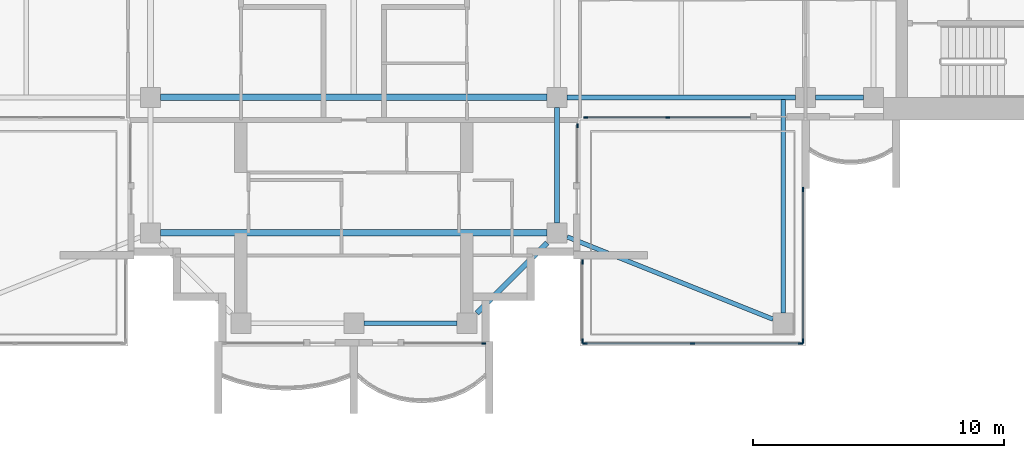
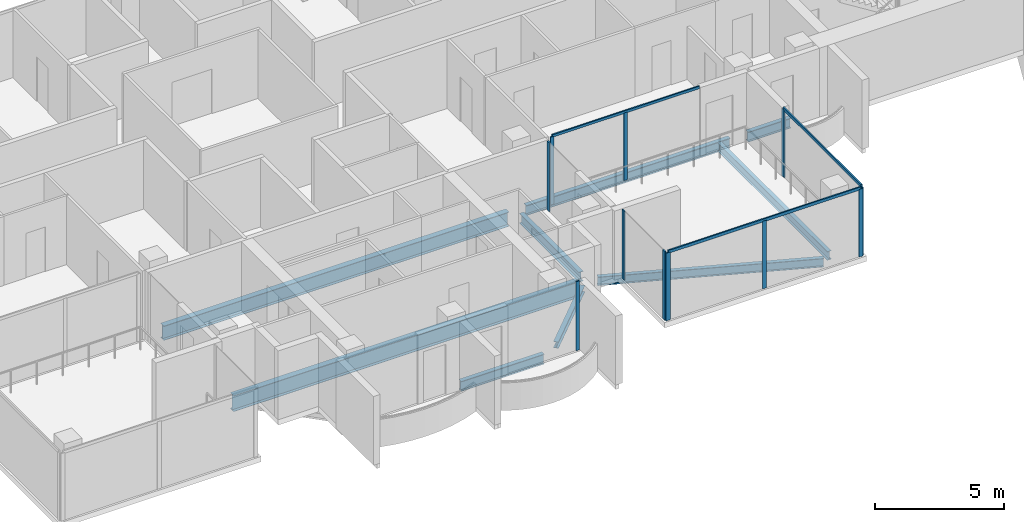
# One storey, part 3 of 16: 14 members, 9 beams, 6 elements without a shape of their own.
"""IFC4 building model written with IfcOpenShell, lengths in metres."""

from ifc_helpers import new_model, si_unit, direction, frame, origin, origin_2d, place, context, subcontext, project, spatial, rectangle, i_section, extrude, material, material_profile, profile_set, type_object, element, aggregate, save


model = new_model("IFC4")

# Units and contexts
model_context = context("Model", 3, precision=1e-05, world=origin(), true_north=direction((0.0, 1.0)))
body_context = subcontext(model_context, "Body", "Model", "MODEL_VIEW")
ifc_project = project(units=[si_unit("LENGTHUNIT", "METRE"), si_unit("AREAUNIT", "SQUARE_METRE"), si_unit("VOLUMEUNIT", "CUBIC_METRE"), si_unit("PLANEANGLEUNIT", "RADIAN"), si_unit("MASSUNIT", "GRAM", prefix="KILO")], contexts=[model_context])

# Site, building, storey
site_placement = place(None, origin())
site = spatial("IfcSite", under=ifc_project, at=site_placement, CompositionType="ELEMENT")
building_placement = place(site_placement, origin())
building = spatial("IfcBuilding", under=site, at=building_placement, Name="Perihelion Cross Residences", CompositionType="ELEMENT")
storey_placement = place(building_placement, frame((0.0, 0.0, 264.0)))
storey = spatial("IfcBuildingStorey", under=building, at=storey_placement, Name="L67", CompositionType="ELEMENT", Elevation=264.0)

# Curtain wall, member
ifc_material_1 = material(Name="Bronze anodised aluminium, tinted glazing", Category="aluminium")
curtain_wall_type_1 = type_object("IfcCurtainWallType", Name="CW1", PredefinedType="NOTDEFINED", material=ifc_material_1)
curtain_wall_1_placement = place(storey_placement, origin())
curtain_wall_1 = element("IfcCurtainWall", 1, at=curtain_wall_1_placement, inside=storey, type_object=curtain_wall_type_1, Name="Curtain wall CW1 L67 south tip south bay 2", PredefinedType="NOTDEFINED")
ifc_material_2 = material(Name="Bronze anodised aluminium", Category="aluminium")
ifc_material_profile_1 = material_profile(ifc_material_2, rectangle(XDim=0.06005859375, YDim=0.159912109375, at=origin_2d()), Name="CW1 mullion")
ifc_profile_set_1 = profile_set([ifc_material_profile_1], Name="Bronze anodised aluminium")
member_type_1 = type_object("IfcMemberType", Name="CW1 mullion", PredefinedType="MULLION", material=ifc_profile_set_1)
member_1_placement = place(storey_placement, frame((5.169921875, -17.89990234375, 0.0), z_axis=(0.0, 0.0, 1.0), x_axis=(0.0, 1.0, 0.0)))
member_1 = element("IfcMember", 2, at=member_1_placement, type_object=member_type_1, Name="CW1 mullion 2", PredefinedType="MULLION", context=body_context, shape_type="SweptSolid", body=[
    extrude(rectangle(XDim=0.06005859375, YDim=0.159912109375, at=origin_2d()), origin(), (0.0, 0.0, 1.0), 3.25),
])
aggregate(curtain_wall_1, [member_1])

curtain_wall_2_placement = place(storey_placement, origin())
curtain_wall_2 = element("IfcCurtainWall", 3, at=curtain_wall_2_placement, inside=storey, type_object=curtain_wall_type_1, Name="Curtain wall CW1 L67 south side east bay 1", PredefinedType="NOTDEFINED")
member_2_placement = place(storey_placement, frame((8.89990234375, -9.22998046875, 0.0), z_axis=(0.0, 0.0, 1.0), x_axis=(-1.0, 0.0, 0.0)))
member_2 = element("IfcMember", 4, at=member_2_placement, type_object=member_type_1, Name="CW1 mullion 2", PredefinedType="MULLION", context=body_context, shape_type="SweptSolid", body=[
    extrude(rectangle(XDim=0.06005859375, YDim=0.159912109375, at=origin_2d()), origin(), (0.0, 0.0, 1.0), 3.25),
])
aggregate(curtain_wall_2, [member_2])

# Curtain wall, members
curtain_wall_3_placement = place(storey_placement, origin())
curtain_wall_3 = element("IfcCurtainWall", 5, at=curtain_wall_3_placement, inside=storey, type_object=curtain_wall_type_1, Name="Curtain wall CW1 L67 east side south bay 1", PredefinedType="NOTDEFINED")
member_3_placement = place(storey_placement, frame((9.22998046875, -8.89990234375, 0.0), z_axis=(0.0, 0.0, 1.0), x_axis=(0.0, 1.0, 0.0)))
member_3 = element("IfcMember", 6, at=member_3_placement, type_object=member_type_1, Name="CW1 mullion 1", PredefinedType="MULLION", context=body_context, shape_type="SweptSolid", body=[
    extrude(rectangle(XDim=0.06005859375, YDim=0.159912109375, at=origin_2d()), origin(), (0.0, 0.0, 1.0), 3.18994140625),
])
member_4_placement = place(storey_placement, frame((12.5, -8.89990234375, 0.0), z_axis=(0.0, 0.0, 1.0), x_axis=(0.0, 1.0, 0.0)))
member_4 = element("IfcMember", 7, at=member_4_placement, type_object=member_type_1, Name="CW1 mullion 2", PredefinedType="MULLION", context=body_context, shape_type="SweptSolid", body=[
    extrude(rectangle(XDim=0.06005859375, YDim=0.159912109375, at=origin_2d()), origin(), (0.0, 0.0, 1.0), 3.18994140625),
])
ifc_material_3 = material(Name="Bronze anodised aluminium", Category="aluminium")
ifc_material_profile_2 = material_profile(ifc_material_3, rectangle(XDim=0.06005859375, YDim=0.1201171875, at=origin_2d()), Name="CW1 transom")
ifc_profile_set_2 = profile_set([ifc_material_profile_2], Name="Bronze anodised aluminium")
member_type_2 = type_object("IfcMemberType", Name="CW1 transom", PredefinedType="USERDEFINED", material=ifc_profile_set_2)
member_5_placement = place(storey_placement, frame((9.22998046875, -8.89990234375, 3.219970703125), z_axis=(1.0, 0.0, 0.0), x_axis=(0.0, 1.0, 0.0)))
member_5 = element("IfcMember", 8, at=member_5_placement, type_object=member_type_2, Name="CW1 head transom", ObjectType="TRANSOM", PredefinedType="USERDEFINED", context=body_context, shape_type="SweptSolid", body=[
    extrude(rectangle(XDim=0.06005859375, YDim=0.1201171875, at=origin_2d()), origin(), (0.0, 0.0, 1.0), 6.570068359375),
])
aggregate(curtain_wall_3, [member_3, member_4, member_5])

ifc_material_4 = material(Name="Bronze anodised aluminium, tinted glazing", Category="aluminium")
curtain_wall_type_2 = type_object("IfcCurtainWallType", Name="CW4", PredefinedType="NOTDEFINED", material=ifc_material_4)
curtain_wall_4_placement = place(storey_placement, origin())
curtain_wall_4 = element("IfcCurtainWall", 9, at=curtain_wall_4_placement, inside=storey, type_object=curtain_wall_type_2, Name="Curtain wall CW4 L67 pocket south-east 1 1", PredefinedType="NOTDEFINED")
ifc_material_5 = material(Name="Bronze anodised aluminium", Category="aluminium")
ifc_material_profile_3 = material_profile(ifc_material_5, rectangle(XDim=0.06005859375, YDim=0.179931640625, at=origin_2d()), Name="CW4 mullion")
ifc_profile_set_3 = profile_set([ifc_material_profile_3], Name="Bronze anodised aluminium")
member_type_3 = type_object("IfcMemberType", Name="CW4 mullion", PredefinedType="MULLION", material=ifc_profile_set_3)
member_6_placement = place(storey_placement, frame((17.89990234375, -11.77001953125, 0.0), z_axis=(0.0, 0.0, 1.0), x_axis=(1.0, 0.0, 0.0)))
member_6 = element("IfcMember", 10, at=member_6_placement, type_object=member_type_3, Name="CW4 mullion 1", PredefinedType="MULLION", context=body_context, shape_type="SweptSolid", body=[
    extrude(rectangle(XDim=0.06005859375, YDim=0.179931640625, at=origin_2d()), origin(), (0.0, 0.0, 1.0), 3.18994140625),
])
member_7_placement = place(storey_placement, frame((17.89990234375, -17.800048828125, 0.0), z_axis=(0.0, 0.0, 1.0), x_axis=(1.0, 0.0, 0.0)))
member_7 = element("IfcMember", 11, at=member_7_placement, type_object=member_type_3, Name="CW4 mullion 2", PredefinedType="MULLION", context=body_context, shape_type="SweptSolid", body=[
    extrude(rectangle(XDim=0.06005859375, YDim=0.179931640625, at=origin_2d()), origin(), (0.0, 0.0, 1.0), 3.18994140625),
])

curtain_wall_5_placement = place(storey_placement, origin())
curtain_wall_5 = element("IfcCurtainWall", 12, at=curtain_wall_5_placement, inside=storey, type_object=curtain_wall_type_2, Name="Curtain wall CW4 L67 pocket south-east 1 2", PredefinedType="NOTDEFINED")
member_8_placement = place(storey_placement, frame((17.800048828125, -17.89990234375, 0.0), z_axis=(0.0, 0.0, 1.0), x_axis=(0.0, -1.0, 0.0)))
member_8 = element("IfcMember", 13, at=member_8_placement, type_object=member_type_3, Name="CW4 mullion 1", PredefinedType="MULLION", context=body_context, shape_type="SweptSolid", body=[
    extrude(rectangle(XDim=0.06005859375, YDim=0.179931640625, at=origin_2d()), origin(), (0.0, 0.0, 1.0), 3.18994140625),
])
member_9_placement = place(storey_placement, frame((13.5, -17.89990234375, 0.0), z_axis=(0.0, 0.0, 1.0), x_axis=(0.0, -1.0, 0.0)))
member_9 = element("IfcMember", 14, at=member_9_placement, type_object=member_type_3, Name="CW4 mullion 2", PredefinedType="MULLION", context=body_context, shape_type="SweptSolid", body=[
    extrude(rectangle(XDim=0.06005859375, YDim=0.179931640625, at=origin_2d()), origin(), (0.0, 0.0, 1.0), 3.18994140625),
])
member_10_placement = place(storey_placement, frame((9.199951171875, -17.89990234375, 0.0), z_axis=(0.0, 0.0, 1.0), x_axis=(0.0, -1.0, 0.0)))
member_10 = element("IfcMember", 15, at=member_10_placement, type_object=member_type_3, Name="CW4 mullion 3", PredefinedType="MULLION", context=body_context, shape_type="SweptSolid", body=[
    extrude(rectangle(XDim=0.06005859375, YDim=0.179931640625, at=origin_2d()), origin(), (0.0, 0.0, 1.0), 3.18994140625),
])

curtain_wall_6_placement = place(storey_placement, origin())
curtain_wall_6 = element("IfcCurtainWall", 16, at=curtain_wall_6_placement, inside=storey, type_object=curtain_wall_type_2, Name="Curtain wall CW4 L67 pocket south-east 1 3", PredefinedType="NOTDEFINED")
member_11_placement = place(storey_placement, frame((9.10009765625, -17.800048828125, 0.0), z_axis=(0.0, 0.0, 1.0), x_axis=(-1.0, 0.0, 0.0)))
member_11 = element("IfcMember", 17, at=member_11_placement, type_object=member_type_3, Name="CW4 mullion 1", PredefinedType="MULLION", context=body_context, shape_type="SweptSolid", body=[
    extrude(rectangle(XDim=0.06005859375, YDim=0.179931640625, at=origin_2d()), origin(), (0.0, 0.0, 1.0), 3.25),
])
member_12_placement = place(storey_placement, frame((9.10009765625, -14.658935546875, 0.0), z_axis=(0.0, 0.0, 1.0), x_axis=(-1.0, 0.0, 0.0)))
member_12 = element("IfcMember", 18, at=member_12_placement, type_object=member_type_3, Name="CW4 mullion 2", PredefinedType="MULLION", context=body_context, shape_type="SweptSolid", body=[
    extrude(rectangle(XDim=0.06005859375, YDim=0.179931640625, at=origin_2d()), origin(), (0.0, 0.0, 1.0), 3.25),
])
aggregate(curtain_wall_6, [member_11, member_12])

# Member
ifc_material_6 = material(Name="Bronze anodised aluminium", Category="aluminium")
ifc_material_profile_4 = material_profile(ifc_material_6, rectangle(XDim=0.06005859375, YDim=0.139892578125, at=origin_2d()), Name="CW4 transom")
ifc_profile_set_4 = profile_set([ifc_material_profile_4], Name="Bronze anodised aluminium")
member_type_4 = type_object("IfcMemberType", Name="CW4 transom", PredefinedType="USERDEFINED", material=ifc_profile_set_4)
member_13_placement = place(storey_placement, frame((17.89990234375, -11.77001953125, 3.219970703125), z_axis=(0.0, -1.0, 0.0), x_axis=(1.0, 0.0, 0.0)))
member_13 = element("IfcMember", 19, at=member_13_placement, type_object=member_type_4, Name="CW4 head transom", ObjectType="TRANSOM", PredefinedType="USERDEFINED", context=body_context, shape_type="SweptSolid", body=[
    extrude(rectangle(XDim=0.06005859375, YDim=0.139892578125, at=origin_2d()), origin(), (0.0, 0.0, 1.0), 6.030029296875),
])

aggregate(curtain_wall_4, [member_6, member_7, member_13])

member_14_placement = place(storey_placement, frame((17.800048828125, -17.89990234375, 3.219970703125), z_axis=(-1.0, 0.0, 0.0), x_axis=(0.0, -1.0, 0.0)))
member_14 = element("IfcMember", 20, at=member_14_placement, type_object=member_type_4, Name="CW4 head transom", ObjectType="TRANSOM", PredefinedType="USERDEFINED", context=body_context, shape_type="SweptSolid", body=[
    extrude(rectangle(XDim=0.06005859375, YDim=0.139892578125, at=origin_2d()), origin(), (0.0, 0.0, 1.0), 8.60009765625),
])

aggregate(curtain_wall_5, [member_8, member_9, member_10, member_14])

# Beams
ifc_material_7 = material(Name="Steel S355", Category="steel")
ifc_material_profile_5 = material_profile(ifc_material_7, i_section(OverallWidth=0.177978515625, OverallDepth=0.406005859375, WebThickness=0.0078125, FlangeThickness=0.0126953125, at=origin_2d()), Name="W410x60")
ifc_profile_set_5 = profile_set([ifc_material_profile_5], Name="Steel S355")
beam_type_1 = type_object("IfcBeamType", Name="Core edge beam W410x60", PredefinedType="BEAM", material=ifc_profile_set_5)
beam_1_placement = place(storey_placement, frame((17.10009765625, -8.197021484375, -0.452880859375), z_axis=(0.0, -1.0, 0.0), x_axis=(1.0, 0.0, 0.0)))
element("IfcBeam", 21, at=beam_1_placement, inside=storey, type_object=beam_type_1, Name="Core edge beam TB2 L67 corner no. 3", PredefinedType="BEAM", context=body_context, shape_type="SweptSolid", body=[
    extrude(i_section(OverallWidth=0.177978515625, OverallDepth=0.406005859375, WebThickness=0.0078125, FlangeThickness=0.0126953125, at=origin_2d()), origin(), (0.0, 0.0, 1.0), 8.5029296875),
])
beam_2_placement = place(storey_placement, frame((8.5, -13.659912109375, -0.452880859375), z_axis=(0.928474784399, -0.371395442534, 0.0), x_axis=(0.371395442534, 0.928474784399, 0.0)))
element("IfcBeam", 22, at=beam_2_placement, inside=storey, type_object=beam_type_1, Name="Core edge beam TB2 L67 corner no. 4", PredefinedType="BEAM", context=body_context, shape_type="SweptSolid", body=[
    extrude(i_section(OverallWidth=0.177978515625, OverallDepth=0.406005859375, WebThickness=0.0078125, FlangeThickness=0.0126953125, at=origin_2d()), origin(), (0.0, 0.0, 1.0), 8.83154296875),
])
ifc_material_8 = material(Name="Steel S355", Category="steel")
ifc_material_profile_6 = material_profile(ifc_material_8, i_section(OverallWidth=0.194091796875, OverallDepth=0.469970703125, WebThickness=0.0126953125, FlangeThickness=0.0205078125, at=origin_2d()), Name="W460x106")
ifc_profile_set_6 = profile_set([ifc_material_profile_6], Name="Steel S355")
beam_type_2 = type_object("IfcBeamType", Name="Edge beam W460x106", PredefinedType="SPANDREL", material=ifc_profile_set_6)
beam_3_placement = place(storey_placement, frame((0.39990234375, -17.10009765625, -0.485107421875), z_axis=(1.0, 0.0, 0.0), x_axis=(0.0, 1.0, 0.0)))
element("IfcBeam", 23, at=beam_3_placement, inside=storey, type_object=beam_type_2, Name="Edge beam SB5 L67 no. 7", PredefinedType="SPANDREL", context=body_context, shape_type="SweptSolid", body=[
    extrude(i_section(OverallWidth=0.194091796875, OverallDepth=0.469970703125, WebThickness=0.0126953125, FlangeThickness=0.0205078125, at=origin_2d()), origin(), (0.0, 0.0, 1.0), 3.7001953125),
])
beam_4_placement = place(storey_placement, frame((8.10009765625, -13.10009765625, -0.485107421875), z_axis=(0.0, 1.0, 0.0), x_axis=(-1.0, 0.0, 0.0)))
element("IfcBeam", 24, at=beam_4_placement, inside=storey, type_object=beam_type_2, Name="Edge beam SB5 L67 no. 11", PredefinedType="SPANDREL", context=body_context, shape_type="SweptSolid", body=[
    extrude(i_section(OverallWidth=0.194091796875, OverallDepth=0.469970703125, WebThickness=0.0126953125, FlangeThickness=0.0205078125, at=origin_2d()), origin(), (0.0, 0.0, 1.0), 4.60009765625),
])
beam_5_placement = place(storey_placement, frame((8.5, -8.10009765625, -0.485107421875), z_axis=(1.0, 0.0, 0.0), x_axis=(0.0, 1.0, 0.0)))
element("IfcBeam", 25, at=beam_5_placement, inside=storey, type_object=beam_type_2, Name="Edge beam SB5 L67 no. 12", PredefinedType="SPANDREL", context=body_context, shape_type="SweptSolid", body=[
    extrude(i_section(OverallWidth=0.194091796875, OverallDepth=0.469970703125, WebThickness=0.0126953125, FlangeThickness=0.0205078125, at=origin_2d()), origin(), (0.0, 0.0, 1.0), 9.10009765625),
])
beam_6_placement = place(storey_placement, frame((18.39990234375, -8.10009765625, -0.485107421875), z_axis=(1.0, 0.0, 0.0), x_axis=(0.0, 1.0, 0.0)))
element("IfcBeam", 26, at=beam_6_placement, inside=storey, type_object=beam_type_2, Name="Edge beam SB5 L67 no. 8", PredefinedType="SPANDREL", context=body_context, shape_type="SweptSolid", body=[
    extrude(i_section(OverallWidth=0.194091796875, OverallDepth=0.469970703125, WebThickness=0.0126953125, FlangeThickness=0.0205078125, at=origin_2d()), origin(), (0.0, 0.0, 1.0), 1.900146484375),
])
ifc_material_9 = material(Name="Steel S355", Category="steel")
ifc_material_profile_7 = material_profile(ifc_material_9, i_section(OverallWidth=0.26708984375, OverallDepth=0.75390625, WebThickness=0.01318359375, FlangeThickness=0.01708984375, at=origin_2d()), Name="W760x147")
ifc_profile_set_7 = profile_set([ifc_material_profile_7], Name="Steel S355")
beam_type_3 = type_object("IfcBeamType", Name="Floor girder W760x147", PredefinedType="BEAM", material=ifc_profile_set_7)
beam_7_placement = place(storey_placement, frame((-7.699951171875, -13.5, -0.626953125), z_axis=(1.0, 0.0, 0.0), x_axis=(0.0, 1.0, 0.0)))
element("IfcBeam", 27, at=beam_7_placement, inside=storey, type_object=beam_type_3, Name="Girder G5 L67 no. 3", PredefinedType="BEAM", context=body_context, shape_type="SweptSolid", body=[
    extrude(i_section(OverallWidth=0.26708984375, OverallDepth=0.75390625, WebThickness=0.01318359375, FlangeThickness=0.01708984375, at=origin_2d()), origin(), (0.0, 0.0, 1.0), 15.39990234375),
])
ifc_material_10 = material(Name="Steel S355", Category="steel")
ifc_material_profile_8 = material_profile(ifc_material_10, i_section(OverallWidth=0.25390625, OverallDepth=0.677978515625, WebThickness=0.01171875, FlangeThickness=0.016357421875, at=origin_2d()), Name="W690x125")
ifc_profile_set_8 = profile_set([ifc_material_profile_8], Name="Steel S355")
beam_type_4 = type_object("IfcBeamType", Name="Hub ring girder W690x125", PredefinedType="BEAM", material=ifc_profile_set_8)
beam_8_placement = place(storey_placement, frame((-7.699951171875, -8.10009765625, -0.589111328125), z_axis=(1.0, 0.0, 0.0), x_axis=(0.0, 1.0, 0.0)))
element("IfcBeam", 28, at=beam_8_placement, inside=storey, type_object=beam_type_4, Name="Hub ring girder RG5 L67 no. 1", PredefinedType="BEAM", context=body_context, shape_type="SweptSolid", body=[
    extrude(i_section(OverallWidth=0.25390625, OverallDepth=0.677978515625, WebThickness=0.01171875, FlangeThickness=0.016357421875, at=origin_2d()), origin(), (0.0, 0.0, 1.0), 15.39990234375),
])
ifc_material_11 = material(Name="Steel S355", Category="steel")
ifc_material_profile_9 = material_profile(ifc_material_11, i_section(OverallWidth=0.202880859375, OverallDepth=0.302001953125, WebThickness=0.007568359375, FlangeThickness=0.01318359375, at=origin_2d()), Name="W310x60")
ifc_profile_set_9 = profile_set([ifc_material_profile_9], Name="Steel S355")
beam_type_5 = type_object("IfcBeamType", Name="Serration edge beam W310x60", PredefinedType="BEAM", material=ifc_profile_set_9)
beam_9_placement = place(storey_placement, frame((4.89990234375, -16.699951171875, -0.40087890625), z_axis=(0.707106781187, 0.707106781187, 0.0), x_axis=(-0.707106781187, 0.707106781187, 0.0)))
element("IfcBeam", 29, at=beam_9_placement, inside=storey, type_object=beam_type_5, Name="Serration edge beam EB5 L67 no. 2", PredefinedType="BEAM", context=body_context, shape_type="SweptSolid", body=[
    extrude(i_section(OverallWidth=0.202880859375, OverallDepth=0.302001953125, WebThickness=0.007568359375, FlangeThickness=0.01318359375, at=origin_2d()), origin(), (0.0, 0.0, 1.0), 3.9599609375),
])

save(model, "model.ifc")
